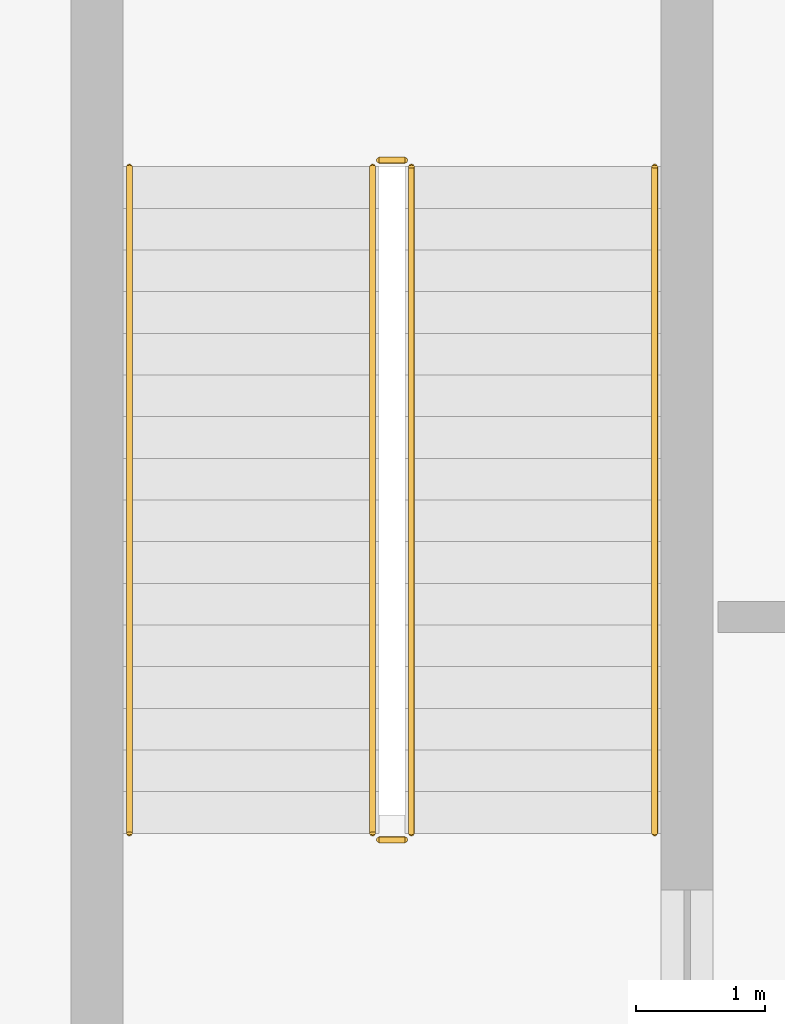
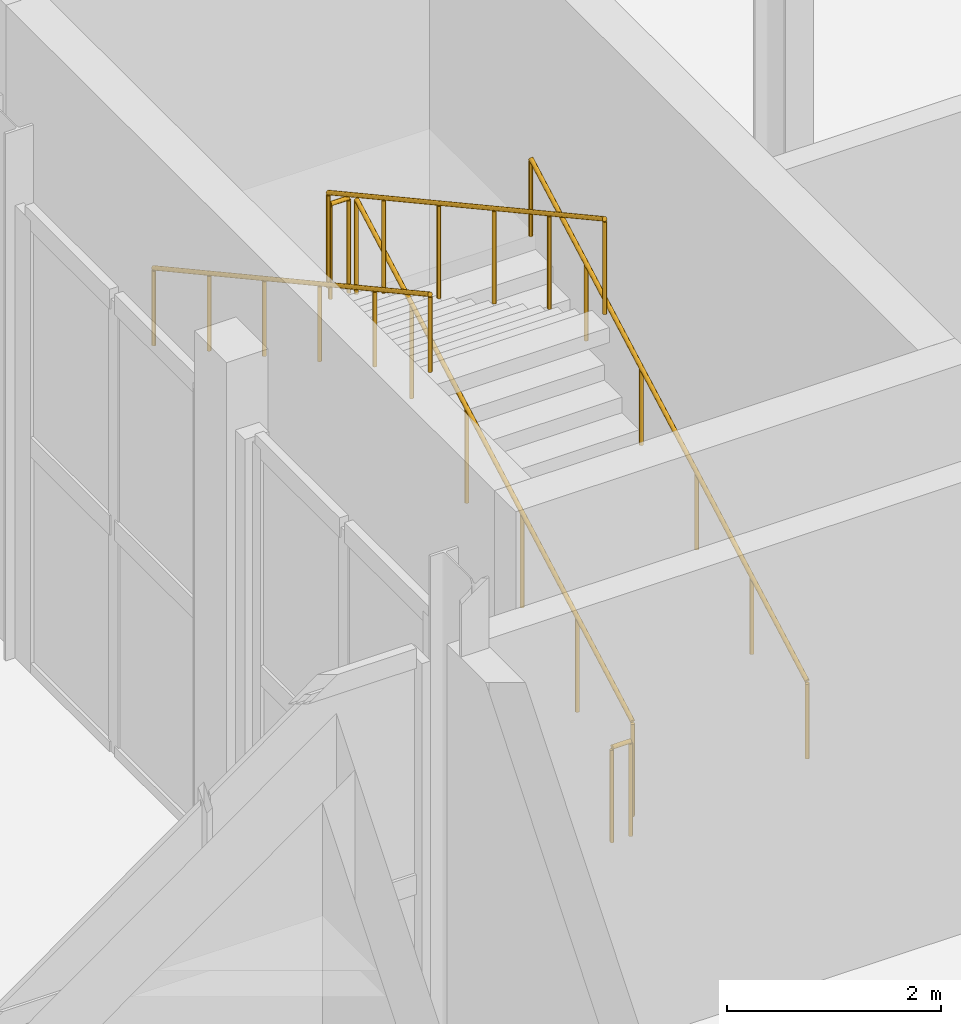
# One storey, part 72 of 84: 6 railings.
"""IFC4 building model written with IfcOpenShell, lengths in metres."""

from ifc_helpers import new_model, si_unit, direction, frame, origin, origin_2d, place, context, subcontext, project, spatial, circle, extrude, material, type_object, element, save


model = new_model("IFC4")

# Units and contexts
model_context = context("Model", 3, precision=1e-05, world=origin(), true_north=direction((0.0, 1.0)))
body_context = subcontext(model_context, "Body", "Model", "MODEL_VIEW")
ifc_project = project(units=[si_unit("LENGTHUNIT", "METRE"), si_unit("AREAUNIT", "SQUARE_METRE"), si_unit("VOLUMEUNIT", "CUBIC_METRE"), si_unit("PLANEANGLEUNIT", "RADIAN"), si_unit("MASSUNIT", "GRAM", prefix="KILO")], contexts=[model_context])

# Site, building, storey
site_placement = place(None, origin())
site = spatial("IfcSite", under=ifc_project, at=site_placement, CompositionType="ELEMENT")
building_placement = place(site_placement, origin())
building = spatial("IfcBuilding", under=site, at=building_placement, Name="Sefraquen Railside Congress Hotel", CompositionType="ELEMENT")
storey_placement = place(building_placement, origin())
storey = spatial("IfcBuildingStorey", under=building, at=storey_placement, Name="L00", CompositionType="ELEMENT", Elevation=0.0)

# Railings
ifc_material = material(Name="Patinated wrought architectural bronze", Category="metal")
railing_type_1 = type_object("IfcRailingType", Name="TRL-BAL-110", PredefinedType="BALUSTRADE", material=ifc_material)
railing_1_placement = place(storey_placement, frame((106.72998046875, 56.8798828125, 0.176513671875)))
element("IfcRailing", 1, at=railing_1_placement, inside=storey, type_object=railing_type_1, Name="L00 ST-M02 stair guard 1", PredefinedType="BALUSTRADE", context=body_context, shape_type="SweptSolid", body=[
    extrude(circle(Radius=0.02392578125, at=origin_2d()), frame((0.0, 0.0, 1.076171875), z_axis=(0.0, 0.876945751477, 0.480589376668), x_axis=(-1.0, 0.0, 0.0)), (0.0, 0.0, 1.0), 5.875),
    extrude(circle(Radius=0.02099609375, at=origin_2d()), origin(), (0.0, 0.0, 1.0), 1.052001953125),
    extrude(circle(Radius=0.02099609375, at=origin_2d()), frame((0.0, 1.030517578125, 0.564697265625)), (0.0, 0.0, 1.0), 1.052001953125),
    extrude(circle(Radius=0.02099609375, at=origin_2d()), frame((0.0, 2.060791015625, 1.12939453125)), (0.0, 0.0, 1.0), 1.052001953125),
    extrude(circle(Radius=0.02099609375, at=origin_2d()), frame((0.0, 3.09130859375, 1.694091796875)), (0.0, 0.0, 1.0), 1.052001953125),
    extrude(circle(Radius=0.02099609375, at=origin_2d()), frame((0.0, 4.12158203125, 2.2587890625)), (0.0, 0.0, 1.0), 1.052001953125),
    extrude(circle(Radius=0.02099609375, at=origin_2d()), frame((0.0, 5.152099609375, 2.823486328125)), (0.0, 0.0, 1.0), 1.052001953125),
])
railing_2_placement = place(storey_placement, frame((106.679931640625, 62.08203125, 3.0)))
element("IfcRailing", 2, at=railing_2_placement, inside=storey, type_object=railing_type_1, Name="L00 ST-M02 stair guard 2", PredefinedType="BALUSTRADE", context=body_context, shape_type="SweptSolid", body=[
    extrude(circle(Radius=0.02392578125, at=origin_2d()), frame((0.0, 0.0, 1.076171875), z_axis=(-1.0, 0.0, 0.0), x_axis=(0.0, -1.0, 0.0)), (0.0, 0.0, 1.0), 0.199951171875),
    extrude(circle(Radius=0.02099609375, at=origin_2d()), origin(), (0.0, 0.0, 1.0), 1.052001953125),
    extrude(circle(Radius=0.02099609375, at=origin_2d()), frame((-0.199951171875, 0.0, 0.0)), (0.0, 0.0, 1.0), 1.052001953125),
])
railing_3_placement = place(storey_placement, frame((106.429931640625, 62.031982421875, 3.176513671875)))
element("IfcRailing", 3, at=railing_3_placement, inside=storey, type_object=railing_type_1, Name="L00 ST-M02 stair guard 3", PredefinedType="BALUSTRADE", context=body_context, shape_type="SweptSolid", body=[
    extrude(circle(Radius=0.02392578125, at=origin_2d()), frame((0.0, 0.0, 1.076171875), z_axis=(0.0, -0.876945751477, 0.480589376668), x_axis=(1.0, 0.0, 0.0)), (0.0, 0.0, 1.0), 5.875),
    extrude(circle(Radius=0.02099609375, at=origin_2d()), origin(), (0.0, 0.0, 1.0), 1.052001953125),
    extrude(circle(Radius=0.02099609375, at=origin_2d()), frame((0.0, -1.030517578125, 0.564697265625)), (0.0, 0.0, 1.0), 1.052001953125),
    extrude(circle(Radius=0.02099609375, at=origin_2d()), frame((0.0, -2.060791015625, 1.12939453125)), (0.0, 0.0, 1.0), 1.052001953125),
    extrude(circle(Radius=0.02099609375, at=origin_2d()), frame((0.0, -3.09130859375, 1.694091796875)), (0.0, 0.0, 1.0), 1.052001953125),
    extrude(circle(Radius=0.02099609375, at=origin_2d()), frame((0.0, -4.12158203125, 2.2587890625)), (0.0, 0.0, 1.0), 1.052001953125),
    extrude(circle(Radius=0.02099609375, at=origin_2d()), frame((0.0, -5.152099609375, 2.823486328125)), (0.0, 0.0, 1.0), 1.052001953125),
])
railing_4_placement = place(storey_placement, frame((106.679931640625, 56.830078125, 0.0)))
element("IfcRailing", 4, at=railing_4_placement, inside=storey, type_object=railing_type_1, Name="L00 ST-M02 stair guard 4", PredefinedType="BALUSTRADE", context=body_context, shape_type="SweptSolid", body=[
    extrude(circle(Radius=0.02392578125, at=origin_2d()), frame((0.0, 0.0, 1.076171875), z_axis=(-1.0, 0.0, 0.0), x_axis=(0.0, -1.0, 0.0)), (0.0, 0.0, 1.0), 0.199951171875),
    extrude(circle(Radius=0.02099609375, at=origin_2d()), origin(), (0.0, 0.0, 1.0), 1.052001953125),
    extrude(circle(Radius=0.02099609375, at=origin_2d()), frame((-0.199951171875, 0.0, 0.0)), (0.0, 0.0, 1.0), 1.052001953125),
])
railing_type_2 = type_object("IfcRailingType", Name="TRL-HR-090", PredefinedType="HANDRAIL", material=ifc_material)
railing_5_placement = place(storey_placement, frame((108.610107421875, 56.8798828125, 0.176513671875)))
element("IfcRailing", 5, at=railing_5_placement, inside=storey, type_object=railing_type_2, Name="L00 ST-M02 stair handrail 1", PredefinedType="HANDRAIL", context=body_context, shape_type="SweptSolid", body=[
    extrude(circle(Radius=0.02392578125, at=origin_2d()), frame((0.0, 0.0, 0.8759765625), z_axis=(0.0, 0.876945751477, 0.480589376668), x_axis=(-1.0, 0.0, 0.0)), (0.0, 0.0, 1.0), 5.875),
    extrude(circle(Radius=0.02099609375, at=origin_2d()), origin(), (0.0, 0.0, 1.0), 0.851806640625),
    extrude(circle(Radius=0.02099609375, at=origin_2d()), frame((0.0, 1.030517578125, 0.564697265625)), (0.0, 0.0, 1.0), 0.851806640625),
    extrude(circle(Radius=0.02099609375, at=origin_2d()), frame((0.0, 2.060791015625, 1.12939453125)), (0.0, 0.0, 1.0), 0.851806640625),
    extrude(circle(Radius=0.02099609375, at=origin_2d()), frame((0.0, 3.09130859375, 1.694091796875)), (0.0, 0.0, 1.0), 0.851806640625),
    extrude(circle(Radius=0.02099609375, at=origin_2d()), frame((0.0, 4.12158203125, 2.2587890625)), (0.0, 0.0, 1.0), 0.851806640625),
    extrude(circle(Radius=0.02099609375, at=origin_2d()), frame((0.0, 5.152099609375, 2.823486328125)), (0.0, 0.0, 1.0), 0.851806640625),
])
railing_6_placement = place(storey_placement, frame((104.550048828125, 62.031982421875, 3.176513671875)))
element("IfcRailing", 6, at=railing_6_placement, inside=storey, type_object=railing_type_2, Name="L00 ST-M02 stair handrail 2", PredefinedType="HANDRAIL", context=body_context, shape_type="SweptSolid", body=[
    extrude(circle(Radius=0.02392578125, at=origin_2d()), frame((0.0, 0.0, 0.8759765625), z_axis=(0.0, -0.876945751477, 0.480589376668), x_axis=(1.0, 0.0, 0.0)), (0.0, 0.0, 1.0), 5.875),
    extrude(circle(Radius=0.02099609375, at=origin_2d()), origin(), (0.0, 0.0, 1.0), 0.851806640625),
    extrude(circle(Radius=0.02099609375, at=origin_2d()), frame((0.0, -1.030517578125, 0.564697265625)), (0.0, 0.0, 1.0), 0.851806640625),
    extrude(circle(Radius=0.02099609375, at=origin_2d()), frame((0.0, -2.060791015625, 1.12939453125)), (0.0, 0.0, 1.0), 0.851806640625),
    extrude(circle(Radius=0.02099609375, at=origin_2d()), frame((0.0, -3.09130859375, 1.694091796875)), (0.0, 0.0, 1.0), 0.851806640625),
    extrude(circle(Radius=0.02099609375, at=origin_2d()), frame((0.0, -4.12158203125, 2.2587890625)), (0.0, 0.0, 1.0), 0.851806640625),
    extrude(circle(Radius=0.02099609375, at=origin_2d()), frame((0.0, -5.152099609375, 2.823486328125)), (0.0, 0.0, 1.0), 0.851806640625),
])

save(model, "model.ifc")
